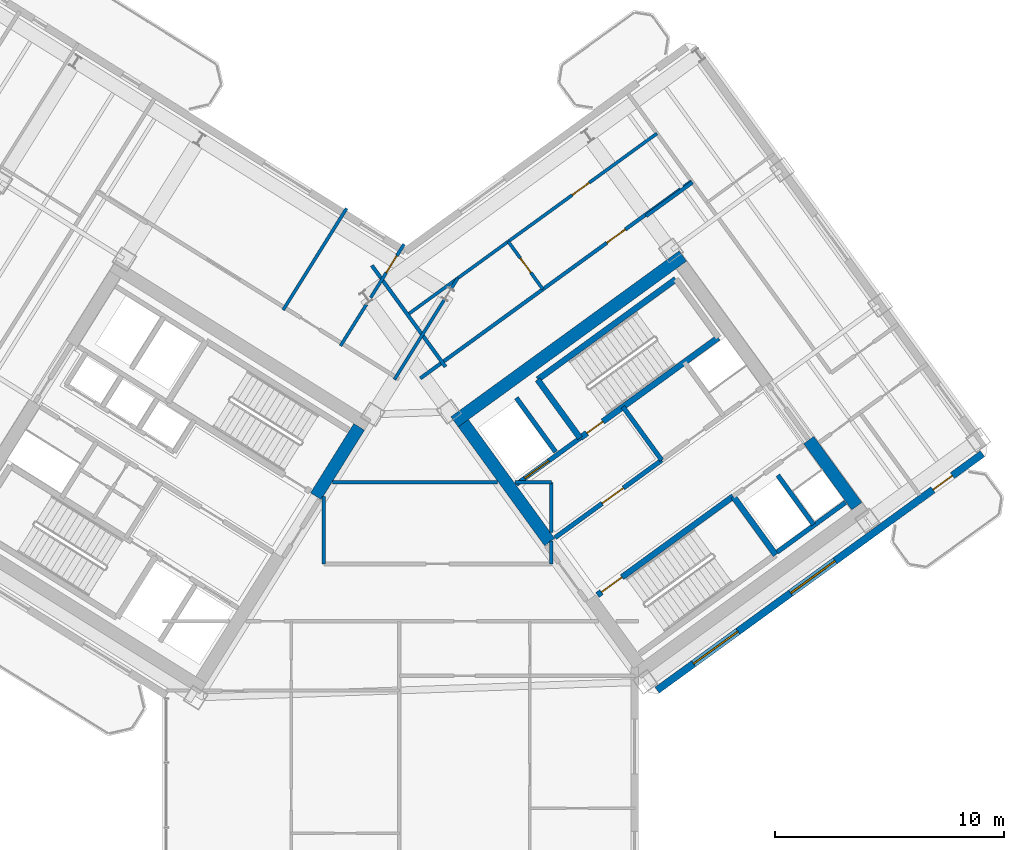
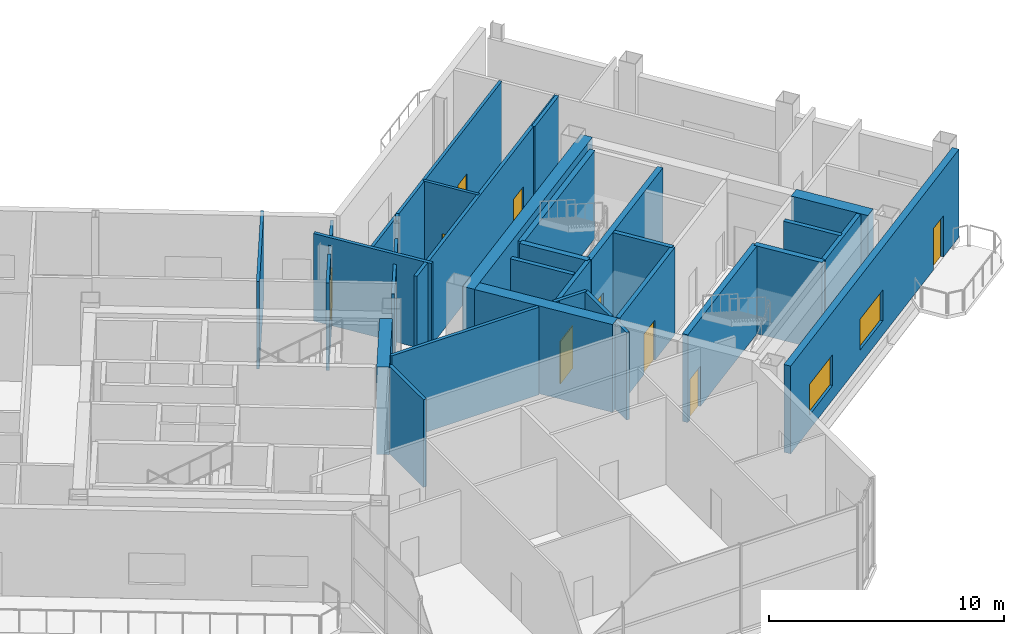
# One storey, part 15 of 21: 31 walls, 9 doors, 2 windows, 11 openings.
"""IFC4 building model written with IfcOpenShell, lengths in metres."""

from ifc_helpers import new_model, si_unit, direction, frame, frame_2d, origin, place, context, subcontext, project, spatial, rectangle, extrude, source, transform, mapped, material, layer, layer_set, type_object, element, fill, save


model = new_model("IFC4")

# Units and contexts
model_context = context("Model", 3, precision=1e-05, world=origin(), true_north=direction((0.0, 1.0)))
body_context = subcontext(model_context, "Body", "Model", "MODEL_VIEW")
ifc_project = project(units=[si_unit("LENGTHUNIT", "METRE"), si_unit("AREAUNIT", "SQUARE_METRE"), si_unit("VOLUMEUNIT", "CUBIC_METRE"), si_unit("PLANEANGLEUNIT", "RADIAN"), si_unit("MASSUNIT", "GRAM", prefix="KILO")], contexts=[model_context])

# Site, building, storey
site_placement = place(None, origin())
site = spatial("IfcSite", under=ifc_project, at=site_placement, CompositionType="ELEMENT")
building_placement = place(site_placement, origin())
building = spatial("IfcBuilding", under=site, at=building_placement, Name="Tlacorven Tower", CompositionType="ELEMENT")
storey_placement = place(building_placement, frame((0.0, 0.0, 179.39990234375)))
storey = spatial("IfcBuildingStorey", under=building, at=storey_placement, Name="L45", CompositionType="ELEMENT", Elevation=179.39990234375)

# Walls
ifc_material_1 = material(Name="Concrete C60/75", Category="concrete")
ifc_layer_1 = layer(ifc_material_1, 0.550048828125)
ifc_layer_set_1 = layer_set([ifc_layer_1], Name="Concrete C60/75")
wall_type_1 = type_object("IfcWallType", Name="WL-COR-550", PredefinedType="SHEAR", material=ifc_layer_set_1)
wall_1_placement = place(storey_placement, frame((40.194091796875, 23.92236328125, 0.0), z_axis=(0.0, 0.0, 1.0), x_axis=(-0.529888438328, -0.848067357541, 0.0)))
element("IfcWall", 1, at=wall_1_placement, inside=storey, type_object=wall_type_1, Name="L45 W core end wall E1.1", PredefinedType="SHEAR", context=body_context, shape_type="SweptSolid", body=[
    extrude(rectangle(XDim=3.574951171875, YDim=0.550048828125, at=frame_2d((1.78759765625, 0.0))), origin(), (0.0, 0.0, 1.0), 4.550048828125),
])
wall_2_placement = place(storey_placement, frame((44.364990234375, 24.142333984375, 0.0), z_axis=(0.0, 0.0, 1.0), x_axis=(0.809024304885, 0.587775190107, 0.0)))
element("IfcWall", 2, at=wall_2_placement, inside=storey, type_object=wall_type_1, Name="L45 E core shear wall S2", PredefinedType="SHEAR", context=body_context, shape_type="SweptSolid", body=[
    extrude(rectangle(XDim=12.340087890625, YDim=0.550048828125, at=frame_2d((6.169921875, 0.0))), origin(), (0.0, 0.0, 1.0), 4.550048828125),
])
wall_3_placement = place(storey_placement, frame((48.525634765625, 18.883544921875, 0.0), z_axis=(0.0, 0.0, 1.0), x_axis=(-0.587764933797, 0.809031756236, 0.0)))
element("IfcWall", 3, at=wall_3_placement, inside=storey, type_object=wall_type_1, Name="L45 E core end wall E1.2", PredefinedType="SHEAR", context=body_context, shape_type="SweptSolid", body=[
    extrude(rectangle(XDim=6.425048828125, YDim=0.550048828125, at=frame_2d((3.21240234375, 0.0))), origin(), (0.0, 0.0, 1.0), 4.550048828125),
])
wall_4_placement = place(storey_placement, frame((61.9580078125, 20.453857421875, 0.0), z_axis=(0.0, 0.0, 1.0), x_axis=(-0.587802113096, 0.809004744015, 0.0)))
element("IfcWall", 4, at=wall_4_placement, inside=storey, type_object=wall_type_1, Name="L45 E core end wall E2.1", PredefinedType="SHEAR", context=body_context, shape_type="SweptSolid", body=[
    extrude(rectangle(XDim=3.574951171875, YDim=0.550048828125, at=frame_2d((1.78759765625, 0.0))), origin(), (0.0, 0.0, 1.0), 4.550048828125),
])
ifc_material_2 = material(Name="Gypsum plasterboard acoustic partition", Category="gypsum")
ifc_layer_2 = layer(ifc_material_2, 0.159912109375)
ifc_layer_set_2 = layer_set([ifc_layer_2], Name="Gypsum plasterboard acoustic partition")
wall_type_2 = type_object("IfcWallType", Name="WL-DEM-160", PredefinedType="PARTITIONING", material=ifc_layer_set_2)
wall_5_placement = place(storey_placement, frame((38.64990234375, 17.929931640625, 0.0), z_axis=(0.0, 0.0, 1.0), x_axis=(0.0, 1.0, 0.0)))
element("IfcWall", 5, at=wall_5_placement, inside=storey, type_object=wall_type_2, Name="L45 partition 72", PredefinedType="PARTITIONING", context=body_context, shape_type="SweptSolid", body=[
    extrude(rectangle(XDim=2.951416015625, YDim=0.159912109375, at=frame_2d((1.4755859375, 0.0))), origin(), (0.0, 0.0, 1.0), 4.5400390625),
])
wall_6_placement = place(storey_placement, frame((48.60009765625, 17.929931640625, 0.0), z_axis=(0.0, 0.0, 1.0), x_axis=(0.0, 1.0, 0.0)))
element("IfcWall", 6, at=wall_6_placement, inside=storey, type_object=wall_type_2, Name="L45 partition 73", PredefinedType="PARTITIONING", context=body_context, shape_type="SweptSolid", body=[
    extrude(rectangle(XDim=0.99267578125, YDim=0.159912109375, at=frame_2d((0.496337890625, 0.0))), origin(), (0.0, 0.0, 1.0), 4.5400390625),
])
wall_7_placement = place(storey_placement, frame((48.60009765625, 19.295166015625, 0.0), z_axis=(0.0, 0.0, 1.0), x_axis=(0.0, 1.0, 0.0)))
element("IfcWall", 7, at=wall_7_placement, inside=storey, type_object=wall_type_2, Name="L45 partition 73", PredefinedType="PARTITIONING", context=body_context, shape_type="SweptSolid", body=[
    extrude(rectangle(XDim=2.204833984375, YDim=0.159912109375, at=frame_2d((1.1025390625, 0.0))), origin(), (0.0, 0.0, 1.0), 4.5400390625),
])
wall_8_placement = place(storey_placement, frame((39.03662109375, 21.5, 0.0), z_axis=(0.0, 0.0, 1.0), x_axis=(1.0, 0.0, 0.0)))
element("IfcWall", 8, at=wall_8_placement, inside=storey, type_object=wall_type_2, Name="L45 partition 74", PredefinedType="PARTITIONING", context=body_context, shape_type="SweptSolid", body=[
    extrude(rectangle(XDim=7.21484375, YDim=0.159912109375, at=frame_2d((3.607421875, 0.0))), origin(), (0.0, 0.0, 1.0), 4.5400390625),
])
wall_9_placement = place(storey_placement, frame((46.998046875, 21.5, 0.0), z_axis=(0.0, 0.0, 1.0), x_axis=(1.0, 0.0, 0.0)))
element("IfcWall", 9, at=wall_9_placement, inside=storey, type_object=wall_type_2, Name="L45 partition 74", PredefinedType="PARTITIONING", context=body_context, shape_type="SweptSolid", body=[
    extrude(rectangle(XDim=1.60205078125, YDim=0.159912109375, at=frame_2d((0.801025390625, 0.0))), origin(), (0.0, 0.0, 1.0), 4.5400390625),
])
wall_10_placement = place(storey_placement, frame((52.73876953125, 33.143310546875, 0.0), z_axis=(0.0, 0.0, 1.0), x_axis=(0.809000999347, 0.58780726693, 0.0)))
element("IfcWall", 10, at=wall_10_placement, inside=storey, type_object=wall_type_2, Name="L45 partition 87", PredefinedType="PARTITIONING", context=body_context, shape_type="SweptSolid", body=[
    extrude(rectangle(XDim=2.510009765625, YDim=0.159912109375, at=frame_2d((1.2548828125, 0.0))), origin(), (0.0, 0.0, 1.0), 4.5400390625),
])

# Wall, opening, door
wall_11_placement = place(storey_placement, frame((42.86572265625, 26.04443359375, 0.0), z_axis=(0.0, 0.0, 1.0), x_axis=(0.809020254154, 0.587780765566, 0.0)))
wall_11 = element("IfcWall", 11, at=wall_11_placement, inside=storey, type_object=wall_type_2, Name="L45 partition 94", PredefinedType="PARTITIONING", context=body_context, shape_type="SweptSolid", body=[
    extrude(rectangle(XDim=14.670166015625, YDim=0.159912109375, at=frame_2d((7.3349609375, 0.0))), origin(), (0.0, 0.0, 1.0), 4.5400390625),
])
opening_1_placement = place(wall_11_placement, frame((10.080078125, 0.0, 0.0)))
opening_1 = element("IfcOpeningElement", 12, at=opening_1_placement, cuts=wall_11, Name="Opening D11", PredefinedType="OPENING", context=body_context, shape_type="SweptSolid", body=[
    extrude(rectangle(XDim=1.0, YDim=2.10009765625, at=frame_2d((0.5, 1.050048828125))), frame((0.0, 0.08984375, 0.0), z_axis=(0.0, -1.0, 0.0), x_axis=(1.0, 0.0, 0.0)), (0.0, 0.0, 1.0), 0.179931640625),
])
ifc_material_3 = material(Name="Fire-rated steel door assembly", Category="steel")
door_type_1 = type_object("IfcDoorType", Name="DR-FLT-FD60-1000", OperationType="NOTDEFINED", PredefinedType="DOOR", material=ifc_material_3)
shared_shape_1 = source(origin(), body_context, "Body", "SweptSolid", [
    extrude(rectangle(XDim=1.0, YDim=2.10009765625, at=frame_2d((0.5, 1.050048828125))), frame((0.0, 0.02490234375, 0.0), z_axis=(0.0, -1.0, 0.0), x_axis=(1.0, 0.0, 0.0)), (0.0, 0.0, 1.0), 0.050048828125),
])
door_1_placement = place(opening_1_placement, origin())
door_1 = element("IfcDoor", 13, at=door_1_placement, inside=storey, type_object=door_type_1, Name="L45 door 059", OperationType="SINGLE_SWING_RIGHT", OverallHeight=2.10009765625, OverallWidth=1.0, PredefinedType="DOOR", context=body_context, shape_type="MappedRepresentation", body=[
    mapped(shared_shape_1, transform((0.0, 0.0, 0.0), scale=1.0)),
])
fill(opening_1, door_1)

# Wall
wall_12_placement = place(storey_placement, frame((43.969482421875, 26.549560546875, 0.0), z_axis=(0.0, 0.0, 1.0), x_axis=(-0.587776919386, 0.80902304852, 0.0)))
element("IfcWall", 14, at=wall_12_placement, inside=storey, type_object=wall_type_2, Name="L45 EC West Throat Wall", PredefinedType="PARTITIONING", context=body_context, shape_type="SweptSolid", body=[
    extrude(rectangle(XDim=5.47998046875, YDim=0.159912109375, at=frame_2d((2.739990234375, 0.0))), origin(), (0.0, 0.0, 1.0), 4.5400390625),
])

# Wall, openings, door, windows
ifc_material_4 = material(Name="Precast concrete C45/55", Category="concrete")
ifc_layer_3 = layer(ifc_material_4, 0.320068359375)
ifc_layer_set_3 = layer_set([ifc_layer_3], Name="Precast concrete C45/55")
wall_type_3 = type_object("IfcWallType", Name="WL-EXT-320", PredefinedType="STANDARD", material=ifc_layer_set_3)
wall_13_placement = place(storey_placement, frame((67.45361328125, 22.746826171875, 0.0), z_axis=(0.0, 0.0, 1.0), x_axis=(-0.809021120468, -0.587779573171, 0.0)))
wall_13 = element("IfcWall", 15, at=wall_13_placement, inside=storey, type_object=wall_type_3, Name="L45 Masonry-Frame Recessed Facade Wall 6", PredefinedType="STANDARD", context=body_context, shape_type="SweptSolid", body=[
    extrude(rectangle(XDim=17.587646484375, YDim=0.320068359375, at=frame_2d((8.7939453125, 0.0))), origin(), (0.0, 0.0, 1.0), 4.550048828125),
])
opening_2_placement = place(wall_13_placement, frame((1.623779296875, 0.0, 0.0)))
opening_2 = element("IfcOpeningElement", 16, at=opening_2_placement, cuts=wall_13, Name="Opening D06", PredefinedType="OPENING", context=body_context, shape_type="SweptSolid", body=[
    extrude(rectangle(XDim=1.050048828125, YDim=2.14990234375, at=frame_2d((0.52490234375, 1.074951171875))), frame((0.0, 0.169921875, 0.0), z_axis=(0.0, -1.0, 0.0), x_axis=(1.0, 0.0, 0.0)), (0.0, 0.0, 1.0), 0.340087890625),
])
opening_3_placement = place(wall_13_placement, frame((7.96875, 0.0, 0.75)))
opening_3 = element("IfcOpeningElement", 17, at=opening_3_placement, cuts=wall_13, Name="Opening WN06", PredefinedType="OPENING", context=body_context, shape_type="SweptSolid", body=[
    extrude(rectangle(XDim=2.39990234375, YDim=1.60009765625, at=frame_2d((1.199951171875, 0.800048828125))), frame((0.0, 0.169921875, 0.0), z_axis=(0.0, -1.0, 0.0), x_axis=(1.0, 0.0, 0.0)), (0.0, 0.0, 1.0), 0.340087890625),
])
opening_4_placement = place(wall_13_placement, frame((13.21875, 0.0, 0.75)))
opening_4 = element("IfcOpeningElement", 18, at=opening_4_placement, cuts=wall_13, Name="Opening WN06", PredefinedType="OPENING", context=body_context, shape_type="SweptSolid", body=[
    extrude(rectangle(XDim=2.39990234375, YDim=1.60009765625, at=frame_2d((1.199951171875, 0.800048828125))), frame((0.0, 0.169921875, 0.0), z_axis=(0.0, -1.0, 0.0), x_axis=(1.0, 0.0, 0.0)), (0.0, 0.0, 1.0), 0.340087890625),
])
ifc_material_5 = material(Name="Powder-coated aluminium and timber door", Category="wood")
door_type_2 = type_object("IfcDoorType", Name="DR-EXT-BALC-1050", OperationType="NOTDEFINED", PredefinedType="DOOR", material=ifc_material_5)
shared_shape_2 = source(origin(), body_context, "Body", "SweptSolid", [
    extrude(rectangle(XDim=1.050048828125, YDim=2.14990234375, at=frame_2d((0.52490234375, 1.074951171875))), frame((0.0, 0.02490234375, 0.0), z_axis=(0.0, -1.0, 0.0), x_axis=(1.0, 0.0, 0.0)), (0.0, 0.0, 1.0), 0.050048828125),
])
door_2_placement = place(opening_2_placement, origin())
door_2 = element("IfcDoor", 19, at=door_2_placement, inside=storey, type_object=door_type_2, Name="L45 Outdoor Access Door BAL-L45-E-OUT", OperationType="SINGLE_SWING_LEFT", OverallHeight=2.14990234375, OverallWidth=1.050048828125, PredefinedType="DOOR", context=body_context, shape_type="MappedRepresentation", body=[
    mapped(shared_shape_2, transform((0.0, 0.0, 0.0), scale=1.0)),
])
fill(opening_2, door_2)
ifc_material_6 = material(Name="Dark solar low-E double glazing in anodised aluminium frame", Category="aluminium")
window_type = type_object("IfcWindowType", Name="WN-APT-2400X1800", PartitioningType="SINGLE_PANEL", PredefinedType="WINDOW", material=ifc_material_6)
shared_shape_3 = source(origin(), body_context, "Body", "SweptSolid", [
    extrude(rectangle(XDim=2.39990234375, YDim=1.60009765625, at=frame_2d((1.199951171875, 0.800048828125))), frame((0.0, 0.030029296875, 0.0), z_axis=(0.0, -1.0, 0.0), x_axis=(1.0, 0.0, 0.0)), (0.0, 0.0, 1.0), 0.06005859375),
])
window_1_placement = place(opening_3_placement, origin())
window_1 = element("IfcWindow", 20, at=window_1_placement, inside=storey, type_object=window_type, Name="L45 Recessed Masonry-Frame Window L45-06.1", OverallHeight=1.60009765625, OverallWidth=2.39990234375, PartitioningType="SINGLE_PANEL", PredefinedType="WINDOW", context=body_context, shape_type="MappedRepresentation", body=[
    mapped(shared_shape_3, transform((0.0, 0.0, 0.0), scale=1.0)),
])
fill(opening_3, window_1)
window_2_placement = place(opening_4_placement, origin())
window_2 = element("IfcWindow", 21, at=window_2_placement, inside=storey, type_object=window_type, Name="L45 Recessed Masonry-Frame Window L45-06.2", OverallHeight=1.60009765625, OverallWidth=2.39990234375, PartitioningType="SINGLE_PANEL", PredefinedType="WINDOW", context=body_context, shape_type="MappedRepresentation", body=[
    mapped(shared_shape_3, transform((0.0, 0.0, 0.0), scale=1.0)),
])
fill(opening_4, window_2)

# Wall, opening, door
ifc_material_7 = material(Name="Moisture-resistant gypsum plumbing wall", Category="gypsum")
ifc_layer_4 = layer(ifc_material_7, 0.139892578125)
ifc_layer_set_4 = layer_set([ifc_layer_4], Name="Moisture-resistant gypsum plumbing wall")
wall_type_4 = type_object("IfcWallType", Name="WL-PLM-140", PredefinedType="PLUMBINGWALL", material=ifc_layer_set_4)
wall_14_placement = place(storey_placement, frame((42.156005859375, 31.911865234375, 0.0), z_axis=(0.0, 0.0, 1.0), x_axis=(-0.529943141103, -0.848033175765, 0.0)))
wall_14 = element("IfcWall", 22, at=wall_14_placement, inside=storey, type_object=wall_type_4, Name="L45 partition 66", PredefinedType="PLUMBINGWALL", context=body_context, shape_type="SweptSolid", body=[
    extrude(rectangle(XDim=2.753173828125, YDim=0.139892578125, at=frame_2d((1.37646484375, 0.0))), origin(), (0.0, 0.0, 1.0), 4.135009765625),
])
opening_5_placement = place(wall_14_placement, frame((0.593017578125, 0.0, 0.0)))
opening_5 = element("IfcOpeningElement", 23, at=opening_5_placement, cuts=wall_14, Name="Opening D13", PredefinedType="OPENING", context=body_context, shape_type="SweptSolid", body=[
    extrude(rectangle(XDim=0.8798828125, YDim=2.080078125, at=frame_2d((0.43994140625, 1.0400390625))), frame((0.0, 0.080078125, 0.0), z_axis=(0.0, -1.0, 0.0), x_axis=(1.0, 0.0, 0.0)), (0.0, 0.0, 1.0), 0.159912109375),
])
door_type_3 = type_object("IfcDoorType", Name="DR-INT-WET-0880", OperationType="NOTDEFINED", PredefinedType="DOOR", material=ifc_material_5)
shared_shape_4 = source(origin(), body_context, "Body", "SweptSolid", [
    extrude(rectangle(XDim=0.8798828125, YDim=2.080078125, at=frame_2d((0.43994140625, 1.0400390625))), frame((0.0, 0.02490234375, 0.0), z_axis=(0.0, -1.0, 0.0), x_axis=(1.0, 0.0, 0.0)), (0.0, 0.0, 1.0), 0.050048828125),
])
door_3_placement = place(opening_5_placement, origin())
door_3 = element("IfcDoor", 24, at=door_3_placement, inside=storey, type_object=door_type_3, Name="L45 door 038", OperationType="SINGLE_SWING_RIGHT", OverallHeight=2.080078125, OverallWidth=0.8798828125, PredefinedType="DOOR", context=body_context, shape_type="MappedRepresentation", body=[
    mapped(shared_shape_4, transform((0.0, 0.0, 0.0), scale=1.0)),
])
fill(opening_5, door_3)

# Walls
wall_15_placement = place(storey_placement, frame((40.511962890625, 29.28076171875, 0.0), z_axis=(0.0, 0.0, 1.0), x_axis=(-0.529947607416, -0.848030384712, 0.0)))
element("IfcWall", 25, at=wall_15_placement, inside=storey, type_object=wall_type_4, Name="L45 partition 66", PredefinedType="PLUMBINGWALL", context=body_context, shape_type="SweptSolid", body=[
    extrude(rectangle(XDim=2.1376953125, YDim=0.139892578125, at=frame_2d((1.06884765625, 0.0))), origin(), (0.0, 0.0, 1.0), 4.5400390625),
])
wall_16_placement = place(storey_placement, frame((44.513671875, 30.438720703125, 0.0), z_axis=(0.0, 0.0, 1.0), x_axis=(-0.530117963224, -0.847923902875, 0.0)))
element("IfcWall", 26, at=wall_16_placement, inside=storey, type_object=wall_type_4, Name="L45 partition 67", PredefinedType="PLUMBINGWALL", context=body_context, shape_type="SweptSolid", body=[
    extrude(rectangle(XDim=0.55322265625, YDim=0.139892578125, at=frame_2d((0.276611328125, 0.0))), origin(), (0.0, 0.0, 1.0), 4.5400390625),
])
wall_17_placement = place(storey_placement, frame((43.916259765625, 29.48291015625, 0.0), z_axis=(0.0, 0.0, 1.0), x_axis=(-0.529897559092, -0.848061658648, 0.0)))
element("IfcWall", 27, at=wall_17_placement, inside=storey, type_object=wall_type_4, Name="L45 partition 67", PredefinedType="PLUMBINGWALL", context=body_context, shape_type="SweptSolid", body=[
    extrude(rectangle(XDim=4.113037109375, YDim=0.139892578125, at=frame_2d((2.056640625, 0.0))), origin(), (0.0, 0.0, 1.0), 4.025146484375),
])
wall_18_placement = place(storey_placement, frame((39.645751953125, 33.48046875, 0.0), z_axis=(0.0, 0.0, 1.0), x_axis=(-0.529923555071, -0.848045414928, 0.0)))
element("IfcWall", 28, at=wall_18_placement, inside=storey, type_object=wall_type_4, Name="L45 partition 68", PredefinedType="PLUMBINGWALL", context=body_context, shape_type="SweptSolid", body=[
    extrude(rectangle(XDim=5.239990234375, YDim=0.139892578125, at=frame_2d((2.6201171875, 0.0))), origin(), (0.0, 0.0, 1.0), 4.5400390625),
])

# Wall, opening, door
wall_19_placement = place(storey_placement, frame((42.376708984375, 28.878173828125, 0.0), z_axis=(0.0, 0.0, 1.0), x_axis=(0.809020411523, 0.587780548963, 0.0)))
wall_19 = element("IfcWall", 29, at=wall_19_placement, inside=storey, type_object=wall_type_4, Name="L45 partition 96", PredefinedType="PLUMBINGWALL", context=body_context, shape_type="SweptSolid", body=[
    extrude(rectangle(XDim=13.39990234375, YDim=0.139892578125, at=frame_2d((6.699951171875, 0.0))), origin(), (0.0, 0.0, 1.0), 4.5400390625),
])
opening_6_placement = place(wall_19_placement, frame((8.820068359375, 0.0, 0.0)))
opening_6 = element("IfcOpeningElement", 30, at=opening_6_placement, cuts=wall_19, Name="Opening D12", PredefinedType="OPENING", context=body_context, shape_type="SweptSolid", body=[
    extrude(rectangle(XDim=0.919921875, YDim=2.080078125, at=frame_2d((0.4599609375, 1.0400390625))), frame((0.0, 0.080078125, 0.0), z_axis=(0.0, -1.0, 0.0), x_axis=(1.0, 0.0, 0.0)), (0.0, 0.0, 1.0), 0.159912109375),
])
door_type_4 = type_object("IfcDoorType", Name="DR-INT-ROOM-0920", OperationType="NOTDEFINED", PredefinedType="DOOR", material=ifc_material_5)
shared_shape_5 = source(origin(), body_context, "Body", "SweptSolid", [
    extrude(rectangle(XDim=0.919921875, YDim=2.080078125, at=frame_2d((0.4599609375, 1.0400390625))), frame((0.0, 0.02490234375, 0.0), z_axis=(0.0, -1.0, 0.0), x_axis=(1.0, 0.0, 0.0)), (0.0, 0.0, 1.0), 0.050048828125),
])
door_4_placement = place(opening_6_placement, origin())
door_4 = element("IfcDoor", 31, at=door_4_placement, inside=storey, type_object=door_type_4, Name="L45 door 060", OperationType="SINGLE_SWING_LEFT", OverallHeight=2.080078125, OverallWidth=0.919921875, PredefinedType="DOOR", context=body_context, shape_type="MappedRepresentation", body=[
    mapped(shared_shape_5, transform((0.0, 0.0, 0.0), scale=1.0)),
])
fill(opening_6, door_4)

wall_20_placement = place(storey_placement, frame((48.2294921875, 29.94140625, 0.0), z_axis=(0.0, 0.0, 1.0), x_axis=(-0.587772116736, 0.809026537752, 0.0)))
wall_20 = element("IfcWall", 32, at=wall_20_placement, inside=storey, type_object=wall_type_4, Name="L45 partition 97", PredefinedType="PLUMBINGWALL", context=body_context, shape_type="SweptSolid", body=[
    extrude(rectangle(XDim=2.579833984375, YDim=0.139892578125, at=frame_2d((1.2900390625, 0.0))), origin(), (0.0, 0.0, 1.0), 4.5400390625),
])
opening_7_placement = place(wall_20_placement, frame((0.89990234375, 0.0, 0.0)))
opening_7 = element("IfcOpeningElement", 33, at=opening_7_placement, cuts=wall_20, Name="Opening D22", PredefinedType="OPENING", context=body_context, shape_type="SweptSolid", body=[
    extrude(rectangle(XDim=0.780029296875, YDim=2.050048828125, at=frame_2d((0.39013671875, 1.02490234375))), frame((0.0, 0.080078125, 0.0), z_axis=(0.0, -1.0, 0.0), x_axis=(1.0, 0.0, 0.0)), (0.0, 0.0, 1.0), 0.159912109375),
])
door_type_5 = type_object("IfcDoorType", Name="DR-INT-WET-0780", OperationType="NOTDEFINED", PredefinedType="DOOR", material=ifc_material_5)
shared_shape_6 = source(origin(), body_context, "Body", "SweptSolid", [
    extrude(rectangle(XDim=0.780029296875, YDim=2.050048828125, at=frame_2d((0.39013671875, 1.02490234375))), frame((0.0, 0.02490234375, 0.0), z_axis=(0.0, -1.0, 0.0), x_axis=(1.0, 0.0, 0.0)), (0.0, 0.0, 1.0), 0.050048828125),
])
door_5_placement = place(opening_7_placement, origin())
door_5 = element("IfcDoor", 34, at=door_5_placement, inside=storey, type_object=door_type_5, Name="L45 door 061", OperationType="SINGLE_SWING_RIGHT", OverallHeight=2.050048828125, OverallWidth=0.780029296875, PredefinedType="DOOR", context=body_context, shape_type="MappedRepresentation", body=[
    mapped(shared_shape_6, transform((0.0, 0.0, 0.0), scale=1.0)),
])
fill(opening_7, door_5)

ifc_material_8 = material(Name="Concrete C40/50", Category="concrete")
ifc_layer_5 = layer(ifc_material_8, 0.199951171875)
ifc_layer_set_5 = layer_set([ifc_layer_5], Name="Concrete C40/50")
wall_type_5 = type_object("IfcWallType", Name="WL-SHF-200", PredefinedType="STANDARD", material=ifc_layer_set_5)
wall_21_placement = place(storey_placement, frame((47.0654296875, 21.4072265625, 0.0), z_axis=(0.0, 0.0, 1.0), x_axis=(0.809032984992, 0.587763242466, 0.0)))
wall_21 = element("IfcWall", 35, at=wall_21_placement, inside=storey, type_object=wall_type_5, Name="L45 Core E Firefighting Lift Shaft Front Wall", PredefinedType="STANDARD", context=body_context, shape_type="SweptSolid", body=[
    extrude(rectangle(XDim=3.447998046875, YDim=0.199951171875, at=frame_2d((1.72412109375, 0.0))), origin(), (0.0, 0.0, 1.0), 4.5400390625),
])
opening_8_placement = place(wall_21_placement, frame((0.4580078125, 0.0, 0.0)))
opening_8 = element("IfcOpeningElement", 36, at=opening_8_placement, cuts=wall_21, Name="Opening LD03", PredefinedType="OPENING", context=body_context, shape_type="SweptSolid", body=[
    extrude(rectangle(XDim=1.300048828125, YDim=2.199951171875, at=frame_2d((0.64990234375, 1.10009765625))), frame((0.0, 0.10986328125, 0.0), z_axis=(0.0, -1.0, 0.0), x_axis=(1.0, 0.0, 0.0)), (0.0, 0.0, 1.0), 0.219970703125),
])
door_type_6 = type_object("IfcDoorType", Name="DR-LFT-SLID-1300", OperationType="DOUBLE_DOOR_SLIDING", PredefinedType="DOOR", material=ifc_material_3)
shared_shape_7 = source(origin(), body_context, "Body", "SweptSolid", [
    extrude(rectangle(XDim=1.300048828125, YDim=2.199951171875, at=frame_2d((0.64990234375, 1.10009765625))), frame((0.0, 0.02490234375, 0.0), z_axis=(0.0, -1.0, 0.0), x_axis=(1.0, 0.0, 0.0)), (0.0, 0.0, 1.0), 0.050048828125),
])
door_6_placement = place(opening_8_placement, origin())
door_6 = element("IfcDoor", 37, at=door_6_placement, inside=storey, type_object=door_type_6, Name="L45 Lift FFL-E1 Sliding Landing Door", OperationType="DOUBLE_DOOR_SLIDING", OverallHeight=2.199951171875, OverallWidth=1.300048828125, PredefinedType="DOOR", context=body_context, shape_type="MappedRepresentation", body=[
    mapped(shared_shape_7, transform((0.0, 0.0, 0.0), scale=1.0)),
])
fill(opening_8, door_6)

wall_22_placement = place(storey_placement, frame((48.75830078125, 19.0771484375, 0.0), z_axis=(0.0, 0.0, 1.0), x_axis=(0.809005065155, 0.587801671104, 0.0)))
wall_22 = element("IfcWall", 38, at=wall_22_placement, inside=storey, type_object=wall_type_5, Name="L45 Core E Smoke Lobby Wall", PredefinedType="STANDARD", context=body_context, shape_type="SweptSolid", body=[
    extrude(rectangle(XDim=5.767822265625, YDim=0.199951171875, at=frame_2d((2.8837890625, 0.0))), origin(), (0.0, 0.0, 1.0), 4.5400390625),
])
opening_9_placement = place(wall_22_placement, frame((2.548095703125, 0.0, 0.0)))
opening_9 = element("IfcOpeningElement", 39, at=opening_9_placement, cuts=wall_22, Name="Opening D09", PredefinedType="OPENING", context=body_context, shape_type="SweptSolid", body=[
    extrude(rectangle(XDim=1.14990234375, YDim=2.10009765625, at=frame_2d((0.574951171875, 1.050048828125))), frame((0.0, 0.10986328125, 0.0), z_axis=(0.0, -1.0, 0.0), x_axis=(1.0, 0.0, 0.0)), (0.0, 0.0, 1.0), 0.219970703125),
])
door_type_7 = type_object("IfcDoorType", Name="DR-FFL-FD60-1150", OperationType="NOTDEFINED", PredefinedType="DOOR", material=ifc_material_3)
shared_shape_8 = source(origin(), body_context, "Body", "SweptSolid", [
    extrude(rectangle(XDim=1.14990234375, YDim=2.10009765625, at=frame_2d((0.574951171875, 1.050048828125))), frame((0.0, 0.02490234375, 0.0), z_axis=(0.0, -1.0, 0.0), x_axis=(1.0, 0.0, 0.0)), (0.0, 0.0, 1.0), 0.050048828125),
])
door_7_placement = place(opening_9_placement, origin())
door_7 = element("IfcDoor", 40, at=door_7_placement, inside=storey, type_object=door_type_7, Name="L45 Firefighting Lobby E Fire Door", OperationType="SINGLE_SWING_LEFT", OverallHeight=2.10009765625, OverallWidth=1.14990234375, PredefinedType="DOOR", context=body_context, shape_type="MappedRepresentation", body=[
    mapped(shared_shape_8, transform((0.0, 0.0, 0.0), scale=1.0)),
])
fill(opening_9, door_7)

# Walls
wall_23_placement = place(storey_placement, frame((48.78564453125, 22.830078125, 0.0), z_axis=(0.0, 0.0, 1.0), x_axis=(-0.587783856777, 0.809018008275, 0.0)))
element("IfcWall", 41, at=wall_23_placement, inside=storey, type_object=wall_type_5, Name="L45 partition 36", PredefinedType="STANDARD", context=body_context, shape_type="SweptSolid", body=[
    extrude(rectangle(XDim=2.919921875, YDim=0.199951171875, at=frame_2d((1.4599609375, 0.0))), origin(), (0.0, 0.0, 1.0), 4.5400390625),
])
wall_24_placement = place(storey_placement, frame((60.066650390625, 19.654541015625, 0.0), z_axis=(0.0, 0.0, 1.0), x_axis=(-0.587800520745, 0.809005900975, 0.0)))
element("IfcWall", 42, at=wall_24_placement, inside=storey, type_object=wall_type_5, Name="L45 partition 37", PredefinedType="STANDARD", context=body_context, shape_type="SweptSolid", body=[
    extrude(rectangle(XDim=2.659912109375, YDim=0.199951171875, at=frame_2d((1.330078125, 0.0))), origin(), (0.0, 0.0, 1.0), 4.5400390625),
])
wall_25_placement = place(storey_placement, frame((58.47216796875, 18.446533203125, 0.0), z_axis=(0.0, 0.0, 1.0), x_axis=(0.809018631237, 0.587782999339, 0.0)))
element("IfcWall", 43, at=wall_25_placement, inside=storey, type_object=wall_type_5, Name="L45 partition 39", PredefinedType="STANDARD", context=body_context, shape_type="SweptSolid", body=[
    extrude(rectangle(XDim=3.697998046875, YDim=0.199951171875, at=frame_2d((1.84912109375, 0.0))), origin(), (0.0, 0.0, 1.0), 4.5400390625),
])
wall_26_placement = place(storey_placement, frame((53.424560546875, 22.467529296875, 0.0), z_axis=(0.0, 0.0, 1.0), x_axis=(-0.5877230039, 0.809062216821, 0.0)))
element("IfcWall", 44, at=wall_26_placement, inside=storey, type_object=wall_type_5, Name="L45 partition 41", PredefinedType="STANDARD", context=body_context, shape_type="SweptSolid", body=[
    extrude(rectangle(XDim=2.8798828125, YDim=0.199951171875, at=frame_2d((1.43994140625, 0.0))), origin(), (0.0, 0.0, 1.0), 4.5400390625),
])
ifc_material_9 = material(Name="Concrete C50/60", Category="concrete")
ifc_layer_6 = layer(ifc_material_9, 0.260009765625)
ifc_layer_set_6 = layer_set([ifc_layer_6], Name="Concrete C50/60")
wall_type_6 = type_object("IfcWallType", Name="WL-STW-260", PredefinedType="SHEAR", material=ifc_layer_set_6)
wall_27_placement = place(storey_placement, frame((48.005615234375, 25.996337890625, 0.0), z_axis=(0.0, 0.0, 1.0), x_axis=(0.80901903764, 0.587782439969, 0.0)))
element("IfcWall", 45, at=wall_27_placement, inside=storey, type_object=wall_type_6, Name="L45 Stair E1 Far Shear Wall", PredefinedType="SHEAR", context=body_context, shape_type="SweptSolid", body=[
    extrude(rectangle(XDim=7.4599609375, YDim=0.260009765625, at=frame_2d((3.72998046875, 0.0))), origin(), (0.0, 0.0, 1.0), 4.550048828125),
])

# Wall, opening, door
wall_28_placement = place(storey_placement, frame((49.863037109375, 23.439697265625, 0.0), z_axis=(0.0, 0.0, 1.0), x_axis=(0.809003474932, 0.587803859759, 0.0)))
wall_28 = element("IfcWall", 46, at=wall_28_placement, inside=storey, type_object=wall_type_6, Name="L45 Stair E1 Lobby Shear Wall", PredefinedType="SHEAR", context=body_context, shape_type="SweptSolid", body=[
    extrude(rectangle(XDim=7.4599609375, YDim=0.260009765625, at=frame_2d((3.72998046875, 0.0))), origin(), (0.0, 0.0, 1.0), 4.550048828125),
])
opening_10_placement = place(wall_28_placement, frame((0.360107421875, 0.0, 0.0)))
opening_10 = element("IfcOpeningElement", 47, at=opening_10_placement, cuts=wall_28, Name="Opening D19", PredefinedType="OPENING", context=body_context, shape_type="SweptSolid", body=[
    extrude(rectangle(XDim=0.860107421875, YDim=2.050048828125, at=frame_2d((0.43017578125, 1.02490234375))), frame((0.0, 0.14013671875, 0.0), z_axis=(0.0, -1.0, 0.0), x_axis=(1.0, 0.0, 0.0)), (0.0, 0.0, 1.0), 0.280029296875),
])
door_type_8 = type_object("IfcDoorType", Name="DR-RSR-FD60-0860", OperationType="NOTDEFINED", PredefinedType="DOOR", material=ifc_material_3)
shared_shape_9 = source(origin(), body_context, "Body", "SweptSolid", [
    extrude(rectangle(XDim=0.860107421875, YDim=2.050048828125, at=frame_2d((0.43017578125, 1.02490234375))), frame((0.0, 0.02490234375, 0.0), z_axis=(0.0, -1.0, 0.0), x_axis=(1.0, 0.0, 0.0)), (0.0, 0.0, 1.0), 0.050048828125),
])
door_8_placement = place(opening_10_placement, frame((0.860107421875, 0.0, 0.0), z_axis=(0.0, 0.0, 1.0), x_axis=(-1.0, 0.0, 0.0)))
door_8 = element("IfcDoor", 48, at=door_8_placement, inside=storey, type_object=door_type_8, Name="L45 Exit Stair E1 Fire Door", OperationType="SINGLE_SWING_LEFT", OverallHeight=2.050048828125, OverallWidth=0.860107421875, PredefinedType="DOOR", context=body_context, shape_type="MappedRepresentation", body=[
    mapped(shared_shape_9, transform((0.0, 0.0, 0.0), scale=1.0)),
])
fill(opening_10, door_8)

# Wall
wall_29_placement = place(storey_placement, frame((49.85498046875, 23.433837890625, 0.0), z_axis=(0.0, 0.0, 1.0), x_axis=(-0.58776738483, 0.809029975545, 0.0)))
element("IfcWall", 49, at=wall_29_placement, inside=storey, type_object=wall_type_6, Name="L45 Stair E1 West Shear Wall", PredefinedType="SHEAR", context=body_context, shape_type="SweptSolid", body=[
    extrude(rectangle(XDim=3.16015625, YDim=0.260009765625, at=frame_2d((1.580078125, 0.0))), origin(), (0.0, 0.0, 1.0), 4.550048828125),
])

# Wall, opening, door
wall_30_placement = place(storey_placement, frame((50.61474609375, 16.569580078125, 0.0), z_axis=(0.0, 0.0, 1.0), x_axis=(0.809028366311, 0.587769599847, 0.0)))
wall_30 = element("IfcWall", 50, at=wall_30_placement, inside=storey, type_object=wall_type_6, Name="L45 Stair E2 Lobby Shear Wall", PredefinedType="SHEAR", context=body_context, shape_type="SweptSolid", body=[
    extrude(rectangle(XDim=7.330078125, YDim=0.260009765625, at=frame_2d((3.6650390625, 0.0))), origin(), (0.0, 0.0, 1.0), 4.550048828125),
])
opening_11_placement = place(wall_30_placement, frame((0.219970703125, 0.0, 0.0)))
opening_11 = element("IfcOpeningElement", 51, at=opening_11_placement, cuts=wall_30, Name="Opening D07", PredefinedType="OPENING", context=body_context, shape_type="SweptSolid", body=[
    extrude(rectangle(XDim=1.10009765625, YDim=2.10009765625, at=frame_2d((0.550048828125, 1.050048828125))), frame((0.0, 0.14013671875, 0.0), z_axis=(0.0, -1.0, 0.0), x_axis=(1.0, 0.0, 0.0)), (0.0, 0.0, 1.0), 0.280029296875),
])
door_type_9 = type_object("IfcDoorType", Name="DR-STR-FD90-1100", OperationType="NOTDEFINED", PredefinedType="DOOR", material=ifc_material_3)
shared_shape_10 = source(origin(), body_context, "Body", "SweptSolid", [
    extrude(rectangle(XDim=1.10009765625, YDim=2.10009765625, at=frame_2d((0.550048828125, 1.050048828125))), frame((0.0, 0.02490234375, 0.0), z_axis=(0.0, -1.0, 0.0), x_axis=(1.0, 0.0, 0.0)), (0.0, 0.0, 1.0), 0.050048828125),
])
door_9_placement = place(opening_11_placement, origin())
door_9 = element("IfcDoor", 52, at=door_9_placement, inside=storey, type_object=door_type_9, Name="L45 Exit Stair E2 Fire Door", OperationType="SINGLE_SWING_RIGHT", OverallHeight=2.10009765625, OverallWidth=1.10009765625, PredefinedType="DOOR", context=body_context, shape_type="MappedRepresentation", body=[
    mapped(shared_shape_10, transform((0.0, 0.0, 0.0), scale=1.0)),
])
fill(opening_11, door_9)

# Wall
wall_31_placement = place(storey_placement, frame((58.410400390625, 18.327392578125, 0.0), z_axis=(0.0, 0.0, 1.0), x_axis=(-0.58776738483, 0.809029975545, 0.0)))
element("IfcWall", 53, at=wall_31_placement, inside=storey, type_object=wall_type_6, Name="L45 Stair E2 East Shear Wall", PredefinedType="SHEAR", context=body_context, shape_type="SweptSolid", body=[
    extrude(rectangle(XDim=3.16015625, YDim=0.260009765625, at=frame_2d((1.580078125, 0.0))), origin(), (0.0, 0.0, 1.0), 4.550048828125),
])

save(model, "model.ifc")
